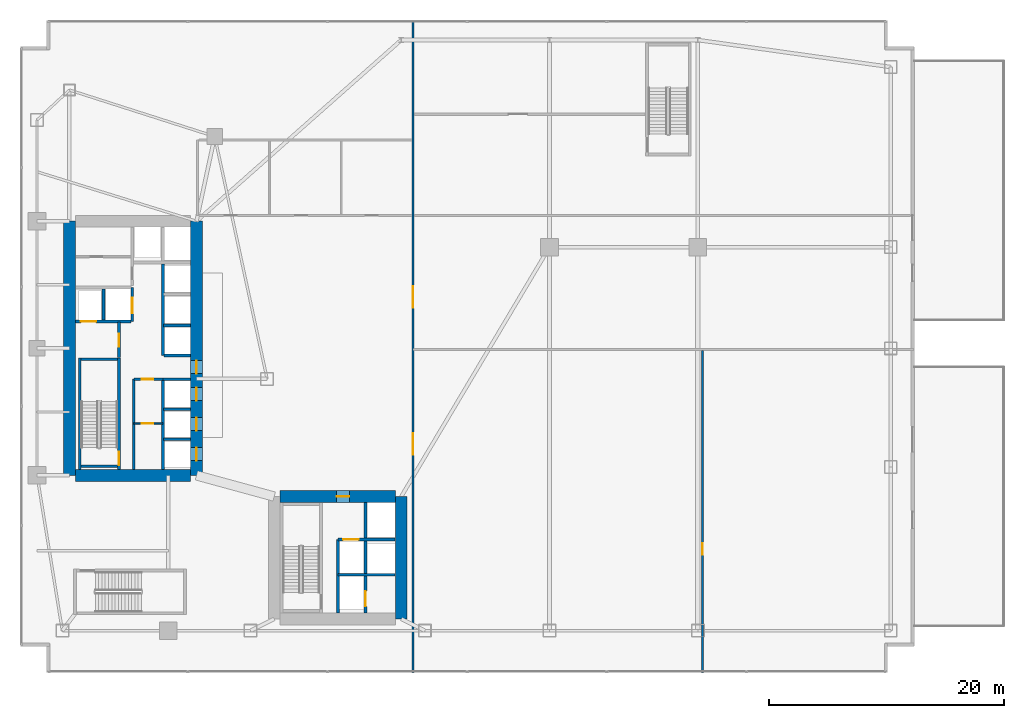
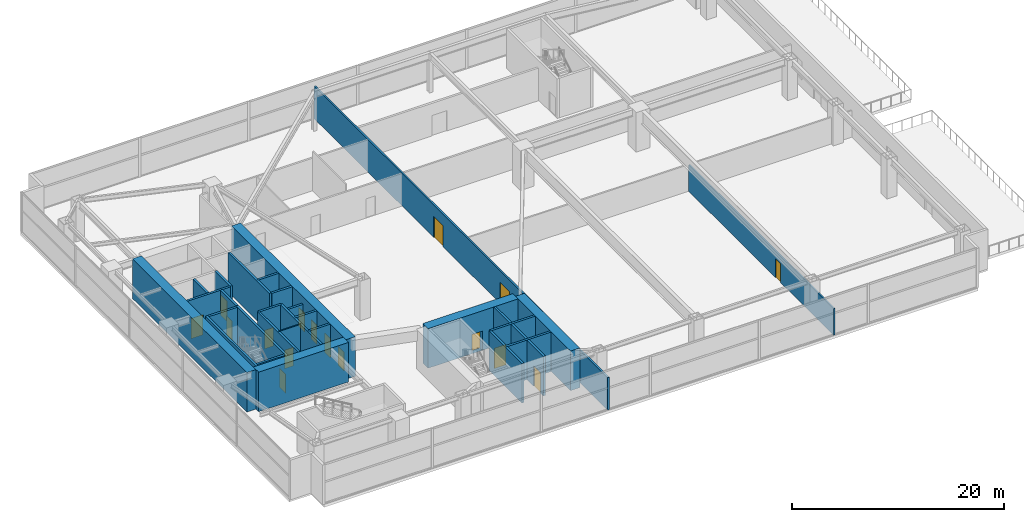
# One storey, part 25 of 30: 29 walls, 16 doors, 16 openings.
"""IFC4 building model written with IfcOpenShell, lengths in metres."""

from ifc_helpers import new_model, si_unit, direction, frame, frame_2d, origin, place, context, subcontext, project, spatial, rectangle, extrude, material, layer, layer_set, type_object, element, fill, save


model = new_model("IFC4")

# Units and contexts
model_context = context("Model", 3, precision=1e-05, world=origin(), true_north=direction((0.0, 1.0)))
body_context = subcontext(model_context, "Body", "Model", "MODEL_VIEW")
ifc_project = project(units=[si_unit("LENGTHUNIT", "METRE"), si_unit("AREAUNIT", "SQUARE_METRE"), si_unit("VOLUMEUNIT", "CUBIC_METRE"), si_unit("PLANEANGLEUNIT", "RADIAN"), si_unit("MASSUNIT", "GRAM", prefix="KILO")], contexts=[model_context])

# Site, building, storey
site_placement = place(None, origin())
site = spatial("IfcSite", under=ifc_project, at=site_placement, CompositionType="ELEMENT")
building_placement = place(site_placement, origin())
building = spatial("IfcBuilding", under=site, at=building_placement, Name="Calvorn Quay Hotel", CompositionType="ELEMENT")
storey_placement = place(building_placement, frame((0.0, 0.0, 17.0)))
storey = spatial("IfcBuildingStorey", under=building, at=storey_placement, Name="L03", CompositionType="ELEMENT", Elevation=17.0)

# Wall
ifc_material_1 = material(Name="Concrete C60", Category="concrete")
ifc_layer_1 = layer(ifc_material_1, 1.0)
ifc_layer_set_1 = layer_set([ifc_layer_1], Name="WL-CORE-1000")
wall_type_1 = type_object("IfcWallType", Name="WL-CORE-1000", PredefinedType="SHEAR", material=ifc_layer_set_1)
wall_1_placement = place(storey_placement, frame((4.199951171875, 16.800048828125, 0.0), z_axis=(0.0, 0.0, 1.0), x_axis=(0.0, 1.0, 0.0)))
element("IfcWall", 1, at=wall_1_placement, inside=storey, type_object=wall_type_1, Name="West Core Shear Wall W (L03)", PredefinedType="SHEAR", context=body_context, shape_type="SweptSolid", body=[
    extrude(rectangle(XDim=21.599853515625, YDim=1.0, at=frame_2d((10.7998046875, 0.0))), origin(), (0.0, 0.0, 1.0), 4.550048828125),
])

# Wall, openings, doors
wall_2_placement = place(storey_placement, frame((15.0, 16.800048828125, 0.0), z_axis=(0.0, 0.0, 1.0), x_axis=(0.0, 1.0, 0.0)))
wall_2 = element("IfcWall", 2, at=wall_2_placement, inside=storey, type_object=wall_type_1, Name="West Core Shear Wall E (L03)", PredefinedType="SHEAR", context=body_context, shape_type="SweptSolid", body=[
    extrude(rectangle(XDim=21.599853515625, YDim=1.0, at=frame_2d((10.7998046875, 0.0))), origin(), (0.0, 0.0, 1.0), 4.550048828125),
])
opening_1_placement = place(wall_2_placement, frame((8.64990234375, 0.0, 0.0)))
opening_1 = element("IfcOpeningElement", 3, at=opening_1_placement, cuts=wall_2, Name="Opening D-L03-CW1", PredefinedType="OPENING", context=body_context, shape_type="SweptSolid", body=[
    extrude(rectangle(XDim=1.10009765625, YDim=2.199951171875, at=frame_2d((0.550048828125, 1.10009765625))), frame((0.0, 0.510009765625, 0.0), z_axis=(0.0, -1.0, 0.0), x_axis=(1.0, 0.0, 0.0)), (0.0, 0.0, 1.0), 1.02001953125),
])
opening_2_placement = place(wall_2_placement, frame((1.25, 0.0, 0.0)))
opening_2 = element("IfcOpeningElement", 4, at=opening_2_placement, cuts=wall_2, Name="Opening LD-L03-L1", PredefinedType="OPENING", context=body_context, shape_type="SweptSolid", body=[
    extrude(rectangle(XDim=1.10009765625, YDim=2.199951171875, at=frame_2d((0.550048828125, 1.10009765625))), frame((0.0, 0.510009765625, 0.0), z_axis=(0.0, -1.0, 0.0), x_axis=(1.0, 0.0, 0.0)), (0.0, 0.0, 1.0), 1.02001953125),
])
opening_3_placement = place(wall_2_placement, frame((3.800048828125, 0.0, 0.0)))
opening_3 = element("IfcOpeningElement", 5, at=opening_3_placement, cuts=wall_2, Name="Opening LD-L03-L2", PredefinedType="OPENING", context=body_context, shape_type="SweptSolid", body=[
    extrude(rectangle(XDim=1.10009765625, YDim=2.199951171875, at=frame_2d((0.550048828125, 1.10009765625))), frame((0.0, 0.510009765625, 0.0), z_axis=(0.0, -1.0, 0.0), x_axis=(1.0, 0.0, 0.0)), (0.0, 0.0, 1.0), 1.02001953125),
])
opening_4_placement = place(wall_2_placement, frame((6.35009765625, 0.0, 0.0)))
opening_4 = element("IfcOpeningElement", 6, at=opening_4_placement, cuts=wall_2, Name="Opening LD-L03-L3", PredefinedType="OPENING", context=body_context, shape_type="SweptSolid", body=[
    extrude(rectangle(XDim=1.10009765625, YDim=2.199951171875, at=frame_2d((0.550048828125, 1.10009765625))), frame((0.0, 0.510009765625, 0.0), z_axis=(0.0, -1.0, 0.0), x_axis=(1.0, 0.0, 0.0)), (0.0, 0.0, 1.0), 1.02001953125),
])
ifc_material_2 = material(Name="Smoke-Sealed Steel Class A Fire Door", Category="steel")
door_type_1 = type_object("IfcDoorType", Name="DR-FFLOBBY-1100", OperationType="NOTDEFINED", PredefinedType="DOOR", material=ifc_material_2)
door_1_placement = place(opening_1_placement, origin())
door_1 = element("IfcDoor", 7, at=door_1_placement, inside=storey, type_object=door_type_1, Name="West Core Vestibule Fire Door (L03)", OperationType="SINGLE_SWING_RIGHT", OverallHeight=2.199951171875, OverallWidth=1.10009765625, PredefinedType="DOOR", context=body_context, shape_type="SweptSolid", body=[
    extrude(rectangle(XDim=1.10009765625, YDim=2.199951171875, at=frame_2d((0.550048828125, 1.10009765625))), frame((0.0, 0.02490234375, 0.0), z_axis=(0.0, -1.0, 0.0), x_axis=(1.0, 0.0, 0.0)), (0.0, 0.0, 1.0), 0.050048828125),
])
fill(opening_1, door_1)
ifc_material_3 = material(Name="Brushed Stainless Steel Sliding Lift Landing Door", Category="steel")
door_type_2 = type_object("IfcDoorType", Name="DR-LIFT-PASS-1100", OperationType="NOTDEFINED", PredefinedType="DOOR", material=ifc_material_3)
door_2_placement = place(opening_2_placement, origin())
door_2 = element("IfcDoor", 8, at=door_2_placement, inside=storey, type_object=door_type_2, Name="Low-Rise Lift PL-L1 Landing Door (L03)", OperationType="DOUBLE_DOOR_SLIDING", OverallHeight=2.199951171875, OverallWidth=1.10009765625, PredefinedType="DOOR", context=body_context, shape_type="SweptSolid", body=[
    extrude(rectangle(XDim=1.10009765625, YDim=2.199951171875, at=frame_2d((0.550048828125, 1.10009765625))), frame((0.0, 0.02490234375, 0.0), z_axis=(0.0, -1.0, 0.0), x_axis=(1.0, 0.0, 0.0)), (0.0, 0.0, 1.0), 0.050048828125),
])
fill(opening_2, door_2)
door_3_placement = place(opening_3_placement, origin())
door_3 = element("IfcDoor", 9, at=door_3_placement, inside=storey, type_object=door_type_2, Name="Low-Rise Lift PL-L2 Landing Door (L03)", OperationType="DOUBLE_DOOR_SLIDING", OverallHeight=2.199951171875, OverallWidth=1.10009765625, PredefinedType="DOOR", context=body_context, shape_type="SweptSolid", body=[
    extrude(rectangle(XDim=1.10009765625, YDim=2.199951171875, at=frame_2d((0.550048828125, 1.10009765625))), frame((0.0, 0.02490234375, 0.0), z_axis=(0.0, -1.0, 0.0), x_axis=(1.0, 0.0, 0.0)), (0.0, 0.0, 1.0), 0.050048828125),
])
fill(opening_3, door_3)
door_4_placement = place(opening_4_placement, origin())
door_4 = element("IfcDoor", 10, at=door_4_placement, inside=storey, type_object=door_type_2, Name="Low-Rise Lift PL-L3 Landing Door (L03)", OperationType="DOUBLE_DOOR_SLIDING", OverallHeight=2.199951171875, OverallWidth=1.10009765625, PredefinedType="DOOR", context=body_context, shape_type="SweptSolid", body=[
    extrude(rectangle(XDim=1.10009765625, YDim=2.199951171875, at=frame_2d((0.550048828125, 1.10009765625))), frame((0.0, 0.02490234375, 0.0), z_axis=(0.0, -1.0, 0.0), x_axis=(1.0, 0.0, 0.0)), (0.0, 0.0, 1.0), 0.050048828125),
])
fill(opening_4, door_4)

# Walls
wall_3_placement = place(storey_placement, frame((4.699951171875, 16.800048828125, 0.0), z_axis=(0.0, 0.0, 1.0), x_axis=(1.0, 0.0, 0.0)))
element("IfcWall", 11, at=wall_3_placement, inside=storey, type_object=wall_type_1, Name="West Core Shear Wall S (L03)", PredefinedType="SHEAR", context=body_context, shape_type="SweptSolid", body=[
    extrude(rectangle(XDim=9.800048828125, YDim=1.0, at=frame_2d((4.89990234375, 0.0))), origin(), (0.0, 0.0, 1.0), 4.550048828125),
])
wall_4_placement = place(storey_placement, frame((32.39990234375, 4.60009765625, 0.0), z_axis=(0.0, 0.0, 1.0), x_axis=(0.0, 1.0, 0.0)))
element("IfcWall", 12, at=wall_4_placement, inside=storey, type_object=wall_type_1, Name="East Core Shear Wall E (L03)", PredefinedType="SHEAR", context=body_context, shape_type="SweptSolid", body=[
    extrude(rectangle(XDim=10.39990234375, YDim=1.0, at=frame_2d((5.199951171875, 0.0))), origin(), (0.0, 0.0, 1.0), 4.550048828125),
])

# Wall, opening, door
wall_5_placement = place(storey_placement, frame((22.10009765625, 15.0, 0.0), z_axis=(0.0, 0.0, 1.0), x_axis=(1.0, 0.0, 0.0)))
wall_5 = element("IfcWall", 13, at=wall_5_placement, inside=storey, type_object=wall_type_1, Name="East Core Shear Wall N (L03)", PredefinedType="SHEAR", context=body_context, shape_type="SweptSolid", body=[
    extrude(rectangle(XDim=9.7998046875, YDim=1.0, at=frame_2d((4.89990234375, 0.0))), origin(), (0.0, 0.0, 1.0), 4.550048828125),
])
opening_5_placement = place(wall_5_placement, frame((4.800048828125, 0.0, 0.0)))
opening_5 = element("IfcOpeningElement", 14, at=opening_5_placement, cuts=wall_5, Name="Opening D-L03-FLE", PredefinedType="OPENING", context=body_context, shape_type="SweptSolid", body=[
    extrude(rectangle(XDim=1.10009765625, YDim=2.199951171875, at=frame_2d((0.550048828125, 1.10009765625))), frame((0.0, 0.510009765625, 0.0), z_axis=(0.0, -1.0, 0.0), x_axis=(1.0, 0.0, 0.0)), (0.0, 0.0, 1.0), 1.02001953125),
])
door_5_placement = place(opening_5_placement, origin())
door_5 = element("IfcDoor", 15, at=door_5_placement, inside=storey, type_object=door_type_1, Name="East Firefighting Lobby Fire Door (L03)", OperationType="SINGLE_SWING_LEFT", OverallHeight=2.199951171875, OverallWidth=1.10009765625, PredefinedType="DOOR", context=body_context, shape_type="SweptSolid", body=[
    extrude(rectangle(XDim=1.10009765625, YDim=2.199951171875, at=frame_2d((0.550048828125, 1.10009765625))), frame((0.0, 0.02490234375, 0.0), z_axis=(0.0, -1.0, 0.0), x_axis=(1.0, 0.0, 0.0)), (0.0, 0.0, 1.0), 0.050048828125),
])
fill(opening_5, door_5)

# Wall, openings, doors
ifc_material_4 = material(Name="Acoustic Fireboard Steel-Stud Partition", Category="steel")
ifc_layer_2 = layer(ifc_material_4, 0.179931640625)
ifc_layer_set_2 = layer_set([ifc_layer_2], Name="WL-CORR-FIRE-180")
wall_type_2 = type_object("IfcWallType", Name="WL-CORR-FIRE-180", PredefinedType="PARTITIONING", material=ifc_layer_set_2)
wall_6_placement = place(storey_placement, frame((33.39990234375, 0.06005859375, 0.0), z_axis=(0.0, 0.0, 1.0), x_axis=(0.0, 1.0, 0.0)))
wall_6 = element("IfcWall", 16, at=wall_6_placement, inside=storey, type_object=wall_type_2, Name="Partition Wall L03-WL-L03-RS-W", PredefinedType="PARTITIONING", context=body_context, shape_type="SweptSolid", body=[
    extrude(rectangle(XDim=55.3798828125, YDim=0.179931640625, at=frame_2d((27.68994140625, 0.0))), origin(), (0.0, 0.0, 1.0), 3.75),
])
opening_6_placement = place(wall_6_placement, frame((18.5, 0.0, 0.0)))
opening_6 = element("IfcOpeningElement", 17, at=opening_6_placement, cuts=wall_6, Name="Opening D-L03-01", PredefinedType="OPENING", context=body_context, shape_type="SweptSolid", body=[
    extrude(rectangle(XDim=1.800048828125, YDim=2.39990234375, at=frame_2d((0.89990234375, 1.199951171875))), frame((0.0, 0.099853515625, 0.0), z_axis=(0.0, -1.0, 0.0), x_axis=(1.0, 0.0, 0.0)), (0.0, 0.0, 1.0), 0.199951171875),
])
opening_7_placement = place(wall_6_placement, frame((31.0, 0.0, 0.0)))
opening_7 = element("IfcOpeningElement", 18, at=opening_7_placement, cuts=wall_6, Name="Opening D-L03-02", PredefinedType="OPENING", context=body_context, shape_type="SweptSolid", body=[
    extrude(rectangle(XDim=1.800048828125, YDim=2.39990234375, at=frame_2d((0.89990234375, 1.199951171875))), frame((0.0, 0.099853515625, 0.0), z_axis=(0.0, -1.0, 0.0), x_axis=(1.0, 0.0, 0.0)), (0.0, 0.0, 1.0), 0.199951171875),
])
ifc_material_5 = material(Name="Acoustic Hardwood Double Fire Door", Category="wood")
door_type_3 = type_object("IfcDoorType", Name="DR-BALLROOM-DBL-1800", OperationType="NOTDEFINED", PredefinedType="DOOR", material=ifc_material_5)
door_6_placement = place(opening_6_placement, origin())
door_6 = element("IfcDoor", 19, at=door_6_placement, inside=storey, type_object=door_type_3, Name="Cantonese Restaurant Door", OperationType="SINGLE_SWING_LEFT", OverallHeight=2.39990234375, OverallWidth=1.800048828125, PredefinedType="DOOR", context=body_context, shape_type="SweptSolid", body=[
    extrude(rectangle(XDim=1.800048828125, YDim=2.39990234375, at=frame_2d((0.89990234375, 1.199951171875))), frame((0.0, 0.02490234375, 0.0), z_axis=(0.0, -1.0, 0.0), x_axis=(1.0, 0.0, 0.0)), (0.0, 0.0, 1.0), 0.050048828125),
])
fill(opening_6, door_6)
door_7_placement = place(opening_7_placement, origin())
door_7 = element("IfcDoor", 20, at=door_7_placement, inside=storey, type_object=door_type_3, Name="Harbour Grill Door", OperationType="SINGLE_SWING_RIGHT", OverallHeight=2.39990234375, OverallWidth=1.800048828125, PredefinedType="DOOR", context=body_context, shape_type="SweptSolid", body=[
    extrude(rectangle(XDim=1.800048828125, YDim=2.39990234375, at=frame_2d((0.89990234375, 1.199951171875))), frame((0.0, 0.02490234375, 0.0), z_axis=(0.0, -1.0, 0.0), x_axis=(1.0, 0.0, 0.0)), (0.0, 0.0, 1.0), 0.050048828125),
])
fill(opening_7, door_7)

# Wall, opening, door
ifc_material_6 = material(Name="Moisture-Resistant Tile-Backed Partition")
ifc_layer_3 = layer(ifc_material_6, 0.125)
ifc_layer_set_3 = layer_set([ifc_layer_3], Name="WL-ENSUITE-125")
wall_type_3 = type_object("IfcWallType", Name="WL-ENSUITE-125", PredefinedType="PARTITIONING", material=ifc_layer_set_3)
wall_7_placement = place(storey_placement, frame((9.679931640625, 21.199951171875, 0.0), z_axis=(0.0, 0.0, 1.0), x_axis=(1.0, 0.0, 0.0)))
wall_7 = element("IfcWall", 21, at=wall_7_placement, inside=storey, type_object=wall_type_3, Name="Partition Wall L03-WL-CWW-SER-M", PredefinedType="PARTITIONING", context=body_context, shape_type="SweptSolid", body=[
    extrude(rectangle(XDim=2.469970703125, YDim=0.125, at=frame_2d((1.23486328125, 0.0))), origin(), (0.0, 0.0, 1.0), 4.550048828125),
])
opening_8_placement = place(wall_7_placement, frame((0.64990234375, 0.0, 0.0)))
opening_8 = element("IfcOpeningElement", 22, at=opening_8_placement, cuts=wall_7, Name="Opening D-L03-CSM", PredefinedType="OPENING", context=body_context, shape_type="SweptSolid", body=[
    extrude(rectangle(XDim=0.97998046875, YDim=2.14990234375, at=frame_2d((0.489990234375, 1.074951171875))), frame((0.0, 0.072509765625, 0.0), z_axis=(0.0, -1.0, 0.0), x_axis=(1.0, 0.0, 0.0)), (0.0, 0.0, 1.0), 0.14501953125),
])
ifc_material_7 = material(Name="Painted Steel Housekeeping/Riser Fire Door", Category="steel")
door_type_4 = type_object("IfcDoorType", Name="DR-SERVICE-980", OperationType="NOTDEFINED", PredefinedType="DOOR", material=ifc_material_7)
door_8_placement = place(opening_8_placement, origin())
door_8 = element("IfcDoor", 23, at=door_8_placement, inside=storey, type_object=door_type_4, Name="Core Valet Pantry Door (L03)", OperationType="SINGLE_SWING_LEFT", OverallHeight=2.14990234375, OverallWidth=0.97998046875, PredefinedType="DOOR", context=body_context, shape_type="SweptSolid", body=[
    extrude(rectangle(XDim=0.97998046875, YDim=2.14990234375, at=frame_2d((0.489990234375, 1.074951171875))), frame((0.0, 0.02490234375, 0.0), z_axis=(0.0, -1.0, 0.0), x_axis=(1.0, 0.0, 0.0)), (0.0, 0.0, 1.0), 0.050048828125),
])
fill(opening_8, door_8)

ifc_material_8 = material(Name="Double-Stud Acoustic Gypsum Partition")
ifc_layer_4 = layer(ifc_material_8, 0.159912109375)
ifc_layer_set_4 = layer_set([ifc_layer_4], Name="WL-INTERSUITE-160")
wall_type_4 = type_object("IfcWallType", Name="WL-INTERSUITE-160", PredefinedType="PARTITIONING", material=ifc_layer_set_4)
wall_8_placement = place(storey_placement, frame((58.0, 0.06005859375, 0.0), z_axis=(0.0, 0.0, 1.0), x_axis=(0.0, 1.0, 0.0)))
wall_8 = element("IfcWall", 24, at=wall_8_placement, inside=storey, type_object=wall_type_4, Name="Partition Wall L03-WL-L03-RC-M", PredefinedType="PARTITIONING", context=body_context, shape_type="SweptSolid", body=[
    extrude(rectangle(XDim=27.33984375, YDim=0.159912109375, at=frame_2d((13.669921875, 0.0))), origin(), (0.0, 0.0, 1.0), 3.050048828125),
])
opening_9_placement = place(wall_8_placement, frame((10.0, 0.0, 0.0)))
opening_9 = element("IfcOpeningElement", 25, at=opening_9_placement, cuts=wall_8, Name="Opening D-L03-04", PredefinedType="OPENING", context=body_context, shape_type="SweptSolid", body=[
    extrude(rectangle(XDim=0.97998046875, YDim=2.14990234375, at=frame_2d((0.489990234375, 1.074951171875))), frame((0.0, 0.08984375, 0.0), z_axis=(0.0, -1.0, 0.0), x_axis=(1.0, 0.0, 0.0)), (0.0, 0.0, 1.0), 0.179931640625),
])
door_9_placement = place(opening_9_placement, origin())
door_9 = element("IfcDoor", 26, at=door_9_placement, inside=storey, type_object=door_type_4, Name="Wine Cellar Store Door", OperationType="SINGLE_SWING_LEFT", OverallHeight=2.14990234375, OverallWidth=0.97998046875, PredefinedType="DOOR", context=body_context, shape_type="SweptSolid", body=[
    extrude(rectangle(XDim=0.97998046875, YDim=2.14990234375, at=frame_2d((0.489990234375, 1.074951171875))), frame((0.0, 0.02490234375, 0.0), z_axis=(0.0, -1.0, 0.0), x_axis=(1.0, 0.0, 0.0)), (0.0, 0.0, 1.0), 0.050048828125),
])
fill(opening_9, door_9)

# Walls
ifc_material_9 = material(Name="Autoclaved Aerated Masonry Block", Category="masonry")
ifc_layer_5 = layer(ifc_material_9, 0.219970703125)
ifc_layer_set_5 = layer_set([ifc_layer_5], Name="WL-LOBBY-FIRE-220")
wall_type_5 = type_object("IfcWallType", Name="WL-LOBBY-FIRE-220", PredefinedType="SOLIDWALL", material=ifc_layer_set_5)
wall_9_placement = place(storey_placement, frame((9.679931640625, 17.320068359375, 0.0), z_axis=(0.0, 0.0, 1.0), x_axis=(0.0, 1.0, 0.0)))
element("IfcWall", 27, at=wall_9_placement, inside=storey, type_object=wall_type_5, Name="Partition Wall L03-WL-CWW-STW-HALL-E", PredefinedType="SOLIDWALL", context=body_context, shape_type="SweptSolid", body=[
    extrude(rectangle(XDim=7.679931640625, YDim=0.219970703125, at=frame_2d((3.83984375, 0.0))), origin(), (0.0, 0.0, 1.0), 4.550048828125),
])
ifc_material_10 = material(Name="Concrete C40", Category="concrete")
ifc_layer_6 = layer(ifc_material_10, 0.239990234375)
ifc_layer_set_6 = layer_set([ifc_layer_6], Name="WL-SHAFT-240")
wall_type_6 = type_object("IfcWallType", Name="WL-SHAFT-240", PredefinedType="SOLIDWALL", material=ifc_layer_set_6)
wall_10_placement = place(storey_placement, frame((5.080078125, 17.300048828125, 0.0), z_axis=(0.0, 0.0, 1.0), x_axis=(0.0, 1.0, 0.0)))
element("IfcWall", 28, at=wall_10_placement, inside=storey, type_object=wall_type_6, Name="Stair STW Shaft Wall W (L03)", PredefinedType="SOLIDWALL", context=body_context, shape_type="SweptSolid", body=[
    extrude(rectangle(XDim=9.489990234375, YDim=0.239990234375, at=frame_2d((4.7451171875, 0.0))), origin(), (0.0, 0.0, 1.0), 4.550048828125),
])

# Wall, opening, door
wall_11_placement = place(storey_placement, frame((8.419921875, 17.300048828125, 0.0), z_axis=(0.0, 0.0, 1.0), x_axis=(0.0, 1.0, 0.0)))
wall_11 = element("IfcWall", 29, at=wall_11_placement, inside=storey, type_object=wall_type_6, Name="Stair STW Shaft Wall E (L03)", PredefinedType="SOLIDWALL", context=body_context, shape_type="SweptSolid", body=[
    extrude(rectangle(XDim=9.489990234375, YDim=0.239990234375, at=frame_2d((4.7451171875, 0.0))), origin(), (0.0, 0.0, 1.0), 4.550048828125),
])
opening_10_placement = place(wall_11_placement, frame((0.35009765625, 0.0, 0.0)))
opening_10 = element("IfcOpeningElement", 30, at=opening_10_placement, cuts=wall_11, Name="Opening D-L03-STW", PredefinedType="OPENING", context=body_context, shape_type="SweptSolid", body=[
    extrude(rectangle(XDim=1.14990234375, YDim=2.199951171875, at=frame_2d((0.574951171875, 1.10009765625))), frame((0.0, 0.1298828125, 0.0), z_axis=(0.0, -1.0, 0.0), x_axis=(1.0, 0.0, 0.0)), (0.0, 0.0, 1.0), 0.260009765625),
])
ifc_material_11 = material(Name="Galvanised Steel Class A Fire Door", Category="steel")
door_type_5 = type_object("IfcDoorType", Name="DR-STAIR-SMOKE-1150", OperationType="NOTDEFINED", PredefinedType="DOOR", material=ifc_material_11)
door_10_placement = place(opening_10_placement, origin())
door_10 = element("IfcDoor", 31, at=door_10_placement, inside=storey, type_object=door_type_5, Name="Stair ST-W Fire Door (L03)", OperationType="SINGLE_SWING_LEFT", OverallHeight=2.199951171875, OverallWidth=1.14990234375, PredefinedType="DOOR", context=body_context, shape_type="SweptSolid", body=[
    extrude(rectangle(XDim=1.14990234375, YDim=2.199951171875, at=frame_2d((0.574951171875, 1.10009765625))), frame((0.0, 0.02490234375, 0.0), z_axis=(0.0, -1.0, 0.0), x_axis=(1.0, 0.0, 0.0)), (0.0, 0.0, 1.0), 0.050048828125),
])
fill(opening_10, door_10)

# Walls
for number, where, z_axis, x_axis, name in (
    (32, (5.199951171875, 17.580078125, 0.0), (0.0, 0.0, 1.0), (1.0, 0.0, 0.0), "Stair STW Shaft Wall S (L03)"),
    (33, (5.199951171875, 26.669921875, 0.0), (0.0, 0.0, 1.0), (1.0, 0.0, 0.0), "Stair STW Shaft Wall N (L03)"),
):
    element("IfcWall", number, at=place(storey_placement, frame(where, z_axis=z_axis, x_axis=x_axis)), inside=storey, type_object=wall_type_6, Name=name, PredefinedType="SOLIDWALL", context=body_context, shape_type="SweptSolid", body=[
        extrude(rectangle(XDim=3.10009765625, YDim=0.239990234375, at=frame_2d((1.550048828125, 0.0))), origin(), (0.0, 0.0, 1.0), 4.550048828125),
    ])
for number, where, z_axis, x_axis, name in (
    (34, (12.179931640625, 19.875, 0.0), (0.0, 0.0, 1.0), (1.0, 0.0, 0.0), "Lift Hoistway Divider Wall PLL12 (L03)"),
    (35, (12.179931640625, 22.425048828125, 0.0), (0.0, 0.0, 1.0), (1.0, 0.0, 0.0), "Lift Hoistway Divider Wall PLL23 (L03)"),
    (36, (12.179931640625, 29.550048828125, 0.0), (0.0, 0.0, 1.0), (1.0, 0.0, 0.0), "Lift Hoistway Divider Wall PLM12 (L03)"),
):
    element("IfcWall", number, at=place(storey_placement, frame(where, z_axis=z_axis, x_axis=x_axis)), inside=storey, type_object=wall_type_6, Name=name, PredefinedType="SOLIDWALL", context=body_context, shape_type="SweptSolid", body=[
        extrude(rectangle(XDim=2.320068359375, YDim=0.239990234375, at=frame_2d((1.16015625, 0.0))), origin(), (0.0, 0.0, 1.0), 4.550048828125),
    ])

# Wall, opening, door
wall_12_placement = place(storey_placement, frame((8.419921875, 26.820068359375, 0.0), z_axis=(0.0, 0.0, 1.0), x_axis=(0.0, 1.0, 0.0)))
wall_12 = element("IfcWall", 37, at=wall_12_placement, inside=storey, type_object=wall_type_6, Name="Partition Wall L03-WL-CWW-FFL-E", PredefinedType="SOLIDWALL", context=body_context, shape_type="SweptSolid", body=[
    extrude(rectangle(XDim=3.0, YDim=0.239990234375, at=frame_2d((1.5, 0.0))), origin(), (0.0, 0.0, 1.0), 4.550048828125),
])
opening_11_placement = place(wall_12_placement, frame((0.89990234375, 0.0, 0.0)))
opening_11 = element("IfcOpeningElement", 38, at=opening_11_placement, cuts=wall_12, Name="Opening D-L03-FLW", PredefinedType="OPENING", context=body_context, shape_type="SweptSolid", body=[
    extrude(rectangle(XDim=1.10009765625, YDim=2.199951171875, at=frame_2d((0.550048828125, 1.10009765625))), frame((0.0, 0.1298828125, 0.0), z_axis=(0.0, -1.0, 0.0), x_axis=(1.0, 0.0, 0.0)), (0.0, 0.0, 1.0), 0.260009765625),
])
door_11_placement = place(opening_11_placement, origin())
door_11 = element("IfcDoor", 39, at=door_11_placement, inside=storey, type_object=door_type_1, Name="West Firefighting Lobby Fire Door (L03)", OperationType="SINGLE_SWING_RIGHT", OverallHeight=2.199951171875, OverallWidth=1.10009765625, PredefinedType="DOOR", context=body_context, shape_type="SweptSolid", body=[
    extrude(rectangle(XDim=1.10009765625, YDim=2.199951171875, at=frame_2d((0.550048828125, 1.10009765625))), frame((0.0, 0.02490234375, 0.0), z_axis=(0.0, -1.0, 0.0), x_axis=(1.0, 0.0, 0.0)), (0.0, 0.0, 1.0), 0.050048828125),
])
fill(opening_11, door_11)

wall_13_placement = place(storey_placement, frame((4.719970703125, 29.8798828125, 0.0), z_axis=(0.0, 0.0, 1.0), x_axis=(1.0, 0.0, 0.0)))
wall_13 = element("IfcWall", 40, at=wall_13_placement, inside=storey, type_object=wall_type_6, Name="Partition Wall L03-WL-CWW-FLW-S", PredefinedType="SOLIDWALL", context=body_context, shape_type="SweptSolid", body=[
    extrude(rectangle(XDim=4.699951171875, YDim=0.239990234375, at=frame_2d((2.35009765625, 0.0))), origin(), (0.0, 0.0, 1.0), 4.550048828125),
])
opening_12_placement = place(wall_13_placement, frame((0.449951171875, 0.0, 0.0)))
opening_12 = element("IfcOpeningElement", 41, at=opening_12_placement, cuts=wall_13, Name="Opening LD-L03-FLW1", PredefinedType="OPENING", context=body_context, shape_type="SweptSolid", body=[
    extrude(rectangle(XDim=1.300048828125, YDim=2.35009765625, at=frame_2d((0.64990234375, 1.175048828125))), frame((0.0, 0.1298828125, 0.0), z_axis=(0.0, -1.0, 0.0), x_axis=(1.0, 0.0, 0.0)), (0.0, 0.0, 1.0), 0.260009765625),
])
ifc_material_12 = material(Name="Champagne-Bronze Sliding Express Lift Landing Door")
door_type_6 = type_object("IfcDoorType", Name="DR-LIFT-SHUTTLE-1300", OperationType="NOTDEFINED", PredefinedType="DOOR", material=ifc_material_12)
door_12_placement = place(opening_12_placement, origin())
door_12 = element("IfcDoor", 42, at=door_12_placement, inside=storey, type_object=door_type_6, Name="Firefighting Lift FL-W1 Landing Door (L03)", OperationType="DOUBLE_DOOR_SLIDING", OverallHeight=2.35009765625, OverallWidth=1.300048828125, PredefinedType="DOOR", context=body_context, shape_type="SweptSolid", body=[
    extrude(rectangle(XDim=1.300048828125, YDim=2.35009765625, at=frame_2d((0.64990234375, 1.175048828125))), frame((0.0, 0.02490234375, 0.0), z_axis=(0.0, -1.0, 0.0), x_axis=(1.0, 0.0, 0.0)), (0.0, 0.0, 1.0), 0.050048828125),
])
fill(opening_12, door_12)

# Wall
wall_14_placement = place(storey_placement, frame((7.10009765625, 30.02001953125, 0.0), z_axis=(0.0, 0.0, 1.0), x_axis=(0.0, 1.0, 0.0)))
element("IfcWall", 43, at=wall_14_placement, inside=storey, type_object=wall_type_6, Name="Partition Wall L03-WL-CWW-FLW-DIV", PredefinedType="SOLIDWALL", context=body_context, shape_type="SweptSolid", body=[
    extrude(rectangle(XDim=2.6298828125, YDim=0.239990234375, at=frame_2d((1.31494140625, 0.0))), origin(), (0.0, 0.0, 1.0), 4.550048828125),
])

# Wall, opening, door
wall_15_placement = place(storey_placement, frame((9.5400390625, 29.8798828125, 0.0), z_axis=(0.0, 0.0, 1.0), x_axis=(0.0, 1.0, 0.0)))
wall_15 = element("IfcWall", 44, at=wall_15_placement, inside=storey, type_object=wall_type_6, Name="Partition Wall L03-WL-CWW-SLW-E", PredefinedType="SOLIDWALL", context=body_context, shape_type="SweptSolid", body=[
    extrude(rectangle(XDim=2.900146484375, YDim=0.239990234375, at=frame_2d((1.4501953125, 0.0))), origin(), (0.0, 0.0, 1.0), 4.550048828125),
])
opening_13_placement = place(wall_15_placement, frame((0.699951171875, 0.0, 0.0)))
opening_13 = element("IfcOpeningElement", 45, at=opening_13_placement, cuts=wall_15, Name="Opening LD-L03-SLW1", PredefinedType="OPENING", context=body_context, shape_type="SweptSolid", body=[
    extrude(rectangle(XDim=1.300048828125, YDim=2.35009765625, at=frame_2d((0.64990234375, 1.175048828125))), frame((0.0, 0.1298828125, 0.0), z_axis=(0.0, -1.0, 0.0), x_axis=(1.0, 0.0, 0.0)), (0.0, 0.0, 1.0), 0.260009765625),
])
door_13_placement = place(opening_13_placement, origin())
door_13 = element("IfcDoor", 46, at=door_13_placement, inside=storey, type_object=door_type_6, Name="Service Lift SL-W1 Landing Door (L03)", OperationType="DOUBLE_DOOR_SLIDING", OverallHeight=2.35009765625, OverallWidth=1.300048828125, PredefinedType="DOOR", context=body_context, shape_type="SweptSolid", body=[
    extrude(rectangle(XDim=1.300048828125, YDim=2.35009765625, at=frame_2d((0.64990234375, 1.175048828125))), frame((0.0, 0.02490234375, 0.0), z_axis=(0.0, -1.0, 0.0), x_axis=(1.0, 0.0, 0.0)), (0.0, 0.0, 1.0), 0.050048828125),
])
fill(opening_13, door_13)

# Wall
wall_16_placement = place(storey_placement, frame((12.14990234375, 17.320068359375, 0.0), z_axis=(0.0, 0.0, 1.0), x_axis=(0.0, 1.0, 0.0)))
element("IfcWall", 47, at=wall_16_placement, inside=storey, type_object=wall_type_6, Name="Partition Wall L03-WL-CWW-PLL-W", PredefinedType="SOLIDWALL", context=body_context, shape_type="SweptSolid", body=[
    extrude(rectangle(XDim=7.64990234375, YDim=0.239990234375, at=frame_2d((3.824951171875, 0.0))), origin(), (0.0, 0.0, 1.0), 4.550048828125),
])

# Wall, opening, door
wall_17_placement = place(storey_placement, frame((9.679931640625, 24.969970703125, 0.0), z_axis=(0.0, 0.0, 1.0), x_axis=(1.0, 0.0, 0.0)))
wall_17 = element("IfcWall", 48, at=wall_17_placement, inside=storey, type_object=wall_type_6, Name="Partition Wall L03-WL-CWW-SER-N", PredefinedType="SOLIDWALL", context=body_context, shape_type="SweptSolid", body=[
    extrude(rectangle(XDim=2.469970703125, YDim=0.239990234375, at=frame_2d((1.23486328125, 0.0))), origin(), (0.0, 0.0, 1.0), 4.550048828125),
])
opening_14_placement = place(wall_17_placement, frame((0.64990234375, 0.0, 0.0)))
opening_14 = element("IfcOpeningElement", 49, at=opening_14_placement, cuts=wall_17, Name="Opening D-L03-CSR", PredefinedType="OPENING", context=body_context, shape_type="SweptSolid", body=[
    extrude(rectangle(XDim=0.97998046875, YDim=2.14990234375, at=frame_2d((0.489990234375, 1.074951171875))), frame((0.0, 0.1298828125, 0.0), z_axis=(0.0, -1.0, 0.0), x_axis=(1.0, 0.0, 0.0)), (0.0, 0.0, 1.0), 0.260009765625),
])
door_14_placement = place(opening_14_placement, origin())
door_14 = element("IfcDoor", 50, at=door_14_placement, inside=storey, type_object=door_type_4, Name="Core Service Closet Door (L03)", OperationType="SINGLE_SWING_LEFT", OverallHeight=2.14990234375, OverallWidth=0.97998046875, PredefinedType="DOOR", context=body_context, shape_type="SweptSolid", body=[
    extrude(rectangle(XDim=0.97998046875, YDim=2.14990234375, at=frame_2d((0.489990234375, 1.074951171875))), frame((0.0, 0.02490234375, 0.0), z_axis=(0.0, -1.0, 0.0), x_axis=(1.0, 0.0, 0.0)), (0.0, 0.0, 1.0), 0.050048828125),
])
fill(opening_14, door_14)

# Walls
wall_18_placement = place(storey_placement, frame((12.14990234375, 24.969970703125, 0.0), z_axis=(0.0, 0.0, 1.0), x_axis=(1.0, 0.0, 0.0)))
element("IfcWall", 51, at=wall_18_placement, inside=storey, type_object=wall_type_6, Name="Partition Wall L03-WL-CWW-PLL-SHN", PredefinedType="SOLIDWALL", context=body_context, shape_type="SweptSolid", body=[
    extrude(rectangle(XDim=2.330078125, YDim=0.239990234375, at=frame_2d((1.1650390625, 0.0))), origin(), (0.0, 0.0, 1.0), 3.75),
])
wall_19_placement = place(storey_placement, frame((12.25, 27.0, 0.0), z_axis=(0.0, 0.0, 1.0), x_axis=(1.0, 0.0, 0.0)))
element("IfcWall", 52, at=wall_19_placement, inside=storey, type_object=wall_type_6, Name="Partition Wall L03-WL-CWW-PLM-S", PredefinedType="SOLIDWALL", context=body_context, shape_type="SweptSolid", body=[
    extrude(rectangle(XDim=2.22998046875, YDim=0.239990234375, at=frame_2d((1.114990234375, 0.0))), origin(), (0.0, 0.0, 1.0), 4.550048828125),
])
wall_20_placement = place(storey_placement, frame((12.14990234375, 27.0, 0.0), z_axis=(0.0, 0.0, 1.0), x_axis=(0.0, 1.0, 0.0)))
element("IfcWall", 53, at=wall_20_placement, inside=storey, type_object=wall_type_6, Name="Partition Wall L03-WL-CWW-PLM-W", PredefinedType="SOLIDWALL", context=body_context, shape_type="SweptSolid", body=[
    extrude(rectangle(XDim=7.75, YDim=0.239990234375, at=frame_2d((3.875, 0.0))), origin(), (0.0, 0.0, 1.0), 4.550048828125),
])
wall_21_placement = place(storey_placement, frame((27.02001953125, 5.1201171875, 0.0), z_axis=(0.0, 0.0, 1.0), x_axis=(0.0, 1.0, 0.0)))
element("IfcWall", 54, at=wall_21_placement, inside=storey, type_object=wall_type_6, Name="Partition Wall L03-WL-CWE-SH-W", PredefinedType="SOLIDWALL", context=body_context, shape_type="SweptSolid", body=[
    extrude(rectangle(XDim=6.22998046875, YDim=0.239990234375, at=frame_2d((3.114990234375, 0.0))), origin(), (0.0, 0.0, 1.0), 4.550048828125),
])

# Wall, opening, door
wall_22_placement = place(storey_placement, frame((27.02001953125, 11.35009765625, 0.0), z_axis=(0.0, 0.0, 1.0), x_axis=(1.0, 0.0, 0.0)))
wall_22 = element("IfcWall", 55, at=wall_22_placement, inside=storey, type_object=wall_type_6, Name="Partition Wall L03-WL-CWE-FFL-S", PredefinedType="SOLIDWALL", context=body_context, shape_type="SweptSolid", body=[
    extrude(rectangle(XDim=4.85986328125, YDim=0.239990234375, at=frame_2d((2.429931640625, 0.0))), origin(), (0.0, 0.0, 1.0), 4.550048828125),
])
opening_15_placement = place(wall_22_placement, frame((0.449951171875, 0.0, 0.0)))
opening_15 = element("IfcOpeningElement", 56, at=opening_15_placement, cuts=wall_22, Name="Opening LD-L03-FLE1", PredefinedType="OPENING", context=body_context, shape_type="SweptSolid", body=[
    extrude(rectangle(XDim=1.300048828125, YDim=2.35009765625, at=frame_2d((0.64990234375, 1.175048828125))), frame((0.0, 0.1298828125, 0.0), z_axis=(0.0, -1.0, 0.0), x_axis=(1.0, 0.0, 0.0)), (0.0, 0.0, 1.0), 0.260009765625),
])
door_15_placement = place(opening_15_placement, origin())
door_15 = element("IfcDoor", 57, at=door_15_placement, inside=storey, type_object=door_type_6, Name="Firefighting Lift FL-E1 Landing Door (L03)", OperationType="DOUBLE_DOOR_SLIDING", OverallHeight=2.35009765625, OverallWidth=1.300048828125, PredefinedType="DOOR", context=body_context, shape_type="SweptSolid", body=[
    extrude(rectangle(XDim=1.300048828125, YDim=2.35009765625, at=frame_2d((0.64990234375, 1.175048828125))), frame((0.0, 0.02490234375, 0.0), z_axis=(0.0, -1.0, 0.0), x_axis=(1.0, 0.0, 0.0)), (0.0, 0.0, 1.0), 0.050048828125),
])
fill(opening_15, door_15)

# Wall
wall_23_placement = place(storey_placement, frame((27.02001953125, 8.35009765625, 0.0), z_axis=(0.0, 0.0, 1.0), x_axis=(1.0, 0.0, 0.0)))
element("IfcWall", 58, at=wall_23_placement, inside=storey, type_object=wall_type_6, Name="Partition Wall L03-WL-CWE-SL-N", PredefinedType="SOLIDWALL", context=body_context, shape_type="SweptSolid", body=[
    extrude(rectangle(XDim=4.85986328125, YDim=0.239990234375, at=frame_2d((2.429931640625, 0.0))), origin(), (0.0, 0.0, 1.0), 4.550048828125),
])

# Wall, opening, door
wall_24_placement = place(storey_placement, frame((29.35009765625, 5.1201171875, 0.0), z_axis=(0.0, 0.0, 1.0), x_axis=(0.0, 1.0, 0.0)))
wall_24 = element("IfcWall", 59, at=wall_24_placement, inside=storey, type_object=wall_type_6, Name="Partition Wall L03-WL-CWE-OB-W", PredefinedType="SOLIDWALL", context=body_context, shape_type="SweptSolid", body=[
    extrude(rectangle(XDim=9.35986328125, YDim=0.239990234375, at=frame_2d((4.679931640625, 0.0))), origin(), (0.0, 0.0, 1.0), 4.550048828125),
])
opening_16_placement = place(wall_24_placement, frame((0.550048828125, 0.0, 0.0)))
opening_16 = element("IfcOpeningElement", 60, at=opening_16_placement, cuts=wall_24, Name="Opening LD-L03-SLEI", PredefinedType="OPENING", context=body_context, shape_type="SweptSolid", body=[
    extrude(rectangle(XDim=1.300048828125, YDim=2.35009765625, at=frame_2d((0.64990234375, 1.175048828125))), frame((0.0, 0.1298828125, 0.0), z_axis=(0.0, -1.0, 0.0), x_axis=(1.0, 0.0, 0.0)), (0.0, 0.0, 1.0), 0.260009765625),
])
door_16_placement = place(opening_16_placement, origin())
door_16 = element("IfcDoor", 61, at=door_16_placement, inside=storey, type_object=door_type_6, Name="Service Lift SL-E1 Landing Door (L03)", OperationType="DOUBLE_DOOR_SLIDING", OverallHeight=2.35009765625, OverallWidth=1.300048828125, PredefinedType="DOOR", context=body_context, shape_type="SweptSolid", body=[
    extrude(rectangle(XDim=1.300048828125, YDim=2.35009765625, at=frame_2d((0.64990234375, 1.175048828125))), frame((0.0, 0.02490234375, 0.0), z_axis=(0.0, -1.0, 0.0), x_axis=(1.0, 0.0, 0.0)), (0.0, 0.0, 1.0), 0.050048828125),
])
fill(opening_16, door_16)

save(model, "model.ifc")
